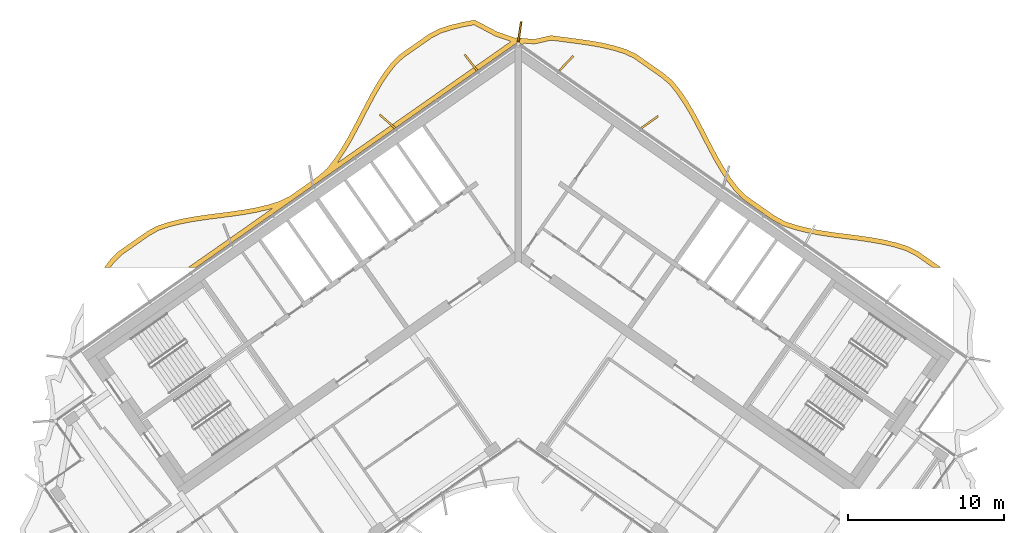
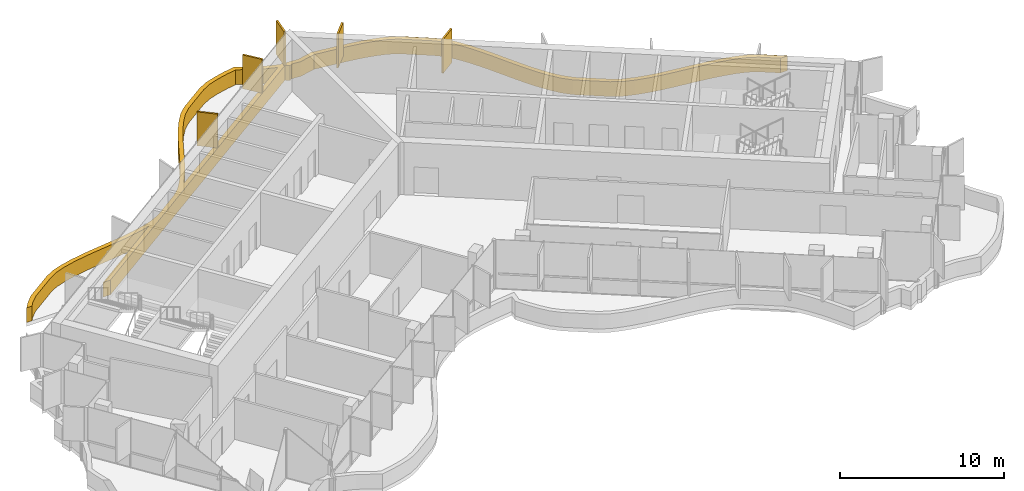
# One storey, part 18 of 18: 6 shading devices.
"""IFC4 building model written with IfcOpenShell, lengths in metres."""

from ifc_helpers import new_model, si_unit, direction, frame, origin, origin_2d, place, context, subcontext, project, spatial, polyline, rectangle, outline, extrude, material, layer, layer_set, type_object, element, save


model = new_model("IFC4")

# Units and contexts
model_context = context("Model", 3, precision=1e-05, world=origin(), true_north=direction((0.0, 1.0)))
body_context = subcontext(model_context, "Body", "Model", "MODEL_VIEW")
ifc_project = project(units=[si_unit("LENGTHUNIT", "METRE"), si_unit("AREAUNIT", "SQUARE_METRE"), si_unit("VOLUMEUNIT", "CUBIC_METRE"), si_unit("PLANEANGLEUNIT", "RADIAN"), si_unit("MASSUNIT", "GRAM", prefix="KILO")], contexts=[model_context])

# Site, building, storey
site_placement = place(None, origin())
site = spatial("IfcSite", under=ifc_project, at=site_placement, CompositionType="ELEMENT")
building_placement = place(site_placement, origin())
building = spatial("IfcBuilding", under=site, at=building_placement, Name="Tel Ilan Convention Tower", CompositionType="ELEMENT")
storey_placement = place(building_placement, frame((0.0, 0.0, 303.39990234375)))
storey = spatial("IfcBuildingStorey", under=building, at=storey_placement, Name="L72", CompositionType="ELEMENT", Elevation=303.39990234375)

# Shading devices
ifc_material_1 = material(Name="Aluminium, bronze anodised", Category="aluminium")
ifc_layer_1 = layer(ifc_material_1, 0.1201171875)
ifc_layer_set_1 = layer_set([ifc_layer_1], Name="FIN BRONZE 1300x120")
shading_device_type_1 = type_object("IfcShadingDeviceType", Name="FIN BRONZE 1300x120", PredefinedType="USERDEFINED", material=ifc_layer_set_1)
for number, where, z_axis, x_axis, name in (
    (1, (8.437744140625, 7.681884765625, 1.10009765625), (0.0, 0.0, 1.0), (0.813552070258, 0.581492071294, 0.0), "FIN"),
    (2, (3.08349609375, 11.454345703125, 1.10009765625), (0.0, 0.0, 1.0), (0.686241637865, 0.727373641577, 0.0), "FIN"),
    (3, (0.09423828125, 13.469482421875, 1.10009765625), (0.0, 0.0, 1.0), (0.144931859301, 0.989441638582, 0.0), "FIN"),
    (4, (-3.0322265625, 11.490478515625, 1.10009765625), (0.0, 0.0, 1.0), (-0.612600545196, 0.790392669516, 0.0), "FIN"),
    (5, (-8.3955078125, 7.726806640625, 1.10009765625), (0.0, 0.0, 1.0), (-0.753435896329, 0.657521368568, 0.0), "FIN"),
):
    element("IfcShadingDevice", number, at=place(storey_placement, frame(where, z_axis=z_axis, x_axis=x_axis)), inside=storey, type_object=shading_device_type_1, Name=name, ObjectType="FIN", PredefinedType="USERDEFINED", context=body_context, shape_type="SweptSolid", body=[
        extrude(rectangle(XDim=1.300048828125, YDim=0.1201171875, at=origin_2d()), origin(), (0.0, 0.0, 1.0), 2.52001953125),
    ])
ifc_material_2 = material(Name="Aluminium, bronze anodised", Category="aluminium")
ifc_layer_2 = layer(ifc_material_2, 0.300048828125)
ifc_layer_set_2 = layer_set([ifc_layer_2], Name="LOUVRE BAND 300x1100")
shading_device_type_2 = type_object("IfcShadingDeviceType", Name="LOUVRE BAND 300x1100", PredefinedType="USERDEFINED", material=ifc_layer_set_2)
shading_device_placement = place(storey_placement, origin())
element("IfcShadingDevice", 6, at=shading_device_placement, inside=storey, type_object=shading_device_type_2, Name="LOUVRE BAND 54.02", ObjectType="LOUVRE", PredefinedType="USERDEFINED", context=body_context, shape_type="SweptSolid", body=[
    extrude(outline(polyline([(-26.1787109375, -1.1572265625), (-26.535888671875, -1.631591796875), (-26.160400390625, -1.631591796875), (-25.951416015625, -1.35400390625), (-25.457275390625, -0.856689453125), (-23.680908203125, 0.38720703125), (-23.075439453125, 0.7314453125), (-22.38525390625, 0.962158203125), (-21.640625, 1.14990234375), (-20.86181640625, 1.298828125), (-20.0576171875, 1.420166015625), (-18.409423828125, 1.63232421875), (-17.585205078125, 1.750732421875), (-16.773193359375, 1.89599609375), (-15.982666015625, 2.081298828125), (-15.75634765625, 2.151611328125), (-21.159423828125, -1.631591796875), (-20.63623046875, -1.631591796875), (0.0, 12.818115234375), (0.261474609375, 12.635009765625), (0.4140625, 12.741943359375), (1.040771484375, 12.687744140625), (2.10400390625, 12.9296875), (3.699462890625, 12.72509765625), (4.510009765625, 12.60986328125), (5.2978515625, 12.47119140625), (6.054443359375, 12.297119140625), (6.765625, 12.080078125), (7.40185546875, 11.785888671875), (9.17822265625, 10.5419921875), (9.708740234375, 10.0908203125), (10.16162109375, 9.521240234375), (10.5927734375, 8.885498046875), (10.9990234375, 8.204833984375), (11.38818359375, 7.49072265625), (12.151123046875, 6.014404296875), (12.54443359375, 5.2802734375), (12.958740234375, 4.567138671875), (13.403076171875, 3.8876953125), (13.891357421875, 3.245849609375), (14.459716796875, 2.693359375), (16.302978515625, 1.40283203125), (16.991455078125, 1.02587890625), (17.759521484375, 0.773681640625), (18.544921875, 0.579345703125), (19.353271484375, 0.42724609375), (20.176025390625, 0.3046875), (21.826416015625, 0.092529296875), (22.634765625, -0.025146484375), (23.4189453125, -0.167724609375), (24.1708984375, -0.34716796875), (24.873291015625, -0.569580078125), (25.496826171875, -0.88427734375), (26.56396484375, -1.631591796875), (27.087158203125, -1.631591796875), (25.6513671875, -0.626220703125), (24.987060546875, -0.290771484375), (24.2509765625, -0.057861328125), (23.480712890625, 0.1259765625), (22.68310546875, 0.27099609375), (21.8671875, 0.3896484375), (20.21728515625, 0.601806640625), (19.4033203125, 0.72314453125), (18.60888671875, 0.87255859375), (17.842529296875, 1.062255859375), (17.111328125, 1.30224609375), (16.46142578125, 1.657958984375), (14.6513671875, 2.92529296875), (14.116455078125, 3.4453125), (13.648193359375, 4.060791015625), (13.214111328125, 4.724609375), (12.806396484375, 5.426513671875), (12.416748046875, 6.154052734375), (11.653076171875, 7.631591796875), (11.259521484375, 8.353515625), (10.845947265625, 9.046875), (10.403564453125, 9.69921875), (9.925537109375, 10.300537109375), (9.36181640625, 10.77978515625), (7.552001953125, 12.047119140625), (6.872802734375, 12.361083984375), (6.132080078125, 12.587158203125), (5.357666015625, 12.765380859375), (4.55712890625, 12.90625), (3.739501953125, 13.0224609375), (2.08935546875, 13.234130859375), (1.02001953125, 12.99072265625), (0.168701171875, 13.059326171875), (0.11474609375, 13.09521484375), (0.0, 13.1181640625), (-0.11474609375, 13.09521484375), (-0.168701171875, 13.059326171875), (-1.357666015625, 13.472900390625), (-2.785888671875, 14.228515625), (-3.5830078125, 14.083251953125), (-4.3515625, 13.896484375), (-5.0849609375, 13.66015625), (-5.7421875, 13.314453125), (-7.552001953125, 12.047119140625), (-8.09423828125, 11.53759765625), (-8.56494140625, 10.925537109375), (-9.001220703125, 10.264404296875), (-9.410400390625, 9.564697265625), (-9.801025390625, 8.838623046875), (-10.564453125, 7.36083984375), (-10.95703125, 6.63720703125), (-11.369140625, 5.94189453125), (-11.809326171875, 5.28662109375), (-12.284912109375, 4.681640625), (-12.841552734375, 4.192626953125), (-14.6513671875, 2.92529296875), (-15.3232421875, 2.6005859375), (-16.0615234375, 2.370849609375), (-16.833984375, 2.18994140625), (-17.6328125, 2.046875), (-18.44970703125, 1.9296875), (-20.099365234375, 1.71728515625), (-20.91259765625, 1.594482421875), (-21.705322265625, 1.44287109375), (-22.4697265625, 1.250244140625), (-23.1982421875, 1.0068359375), (-23.84130859375, 0.64111328125), (-25.6513671875, -0.626220703125), (-26.1787109375, -1.1572265625)]), holes=[polyline([(-11.609619140625, 5.05517578125), (-11.115234375, 5.78173828125), (-10.696044921875, 6.4892578125), (-10.29931640625, 7.220458984375), (-9.535400390625, 8.69873046875), (-9.148681640625, 9.41796875), (-8.746337890625, 10.106201171875), (-8.320556640625, 10.751220703125), (-7.871337890625, 11.33544921875), (-7.3623046875, 11.813720703125), (-5.585693359375, 13.0576171875), (-4.96826171875, 13.382568359375), (-4.27001953125, 13.607666015625), (-3.520751953125, 13.78955078125), (-2.834228515625, 13.914794921875), (-1.477294921875, 13.19677734375), (-0.4755859375, 12.851318359375), (-11.609619140625, 5.05517578125)])]), origin(), (0.0, 0.0, 1.0), 1.10009765625),
])

save(model, "model.ifc")
